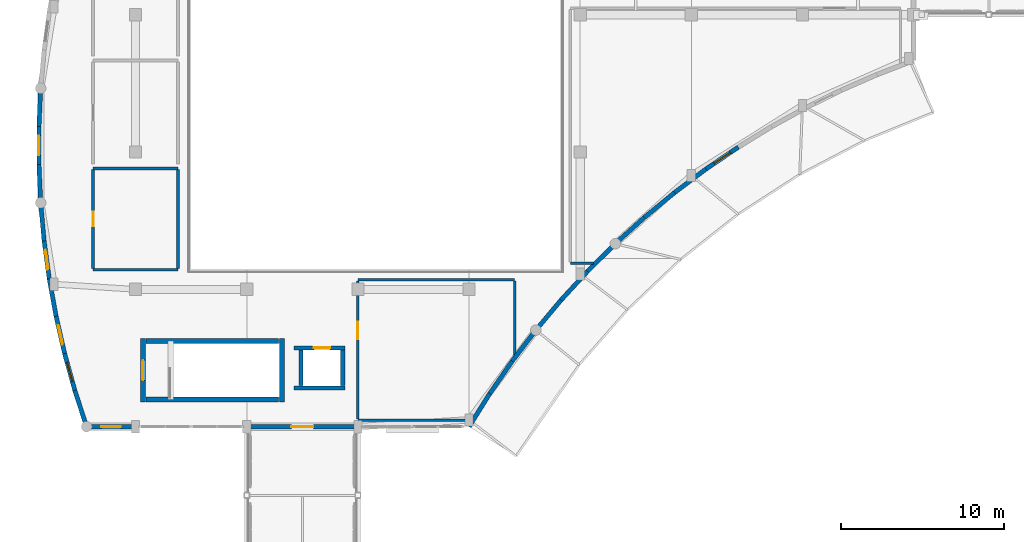
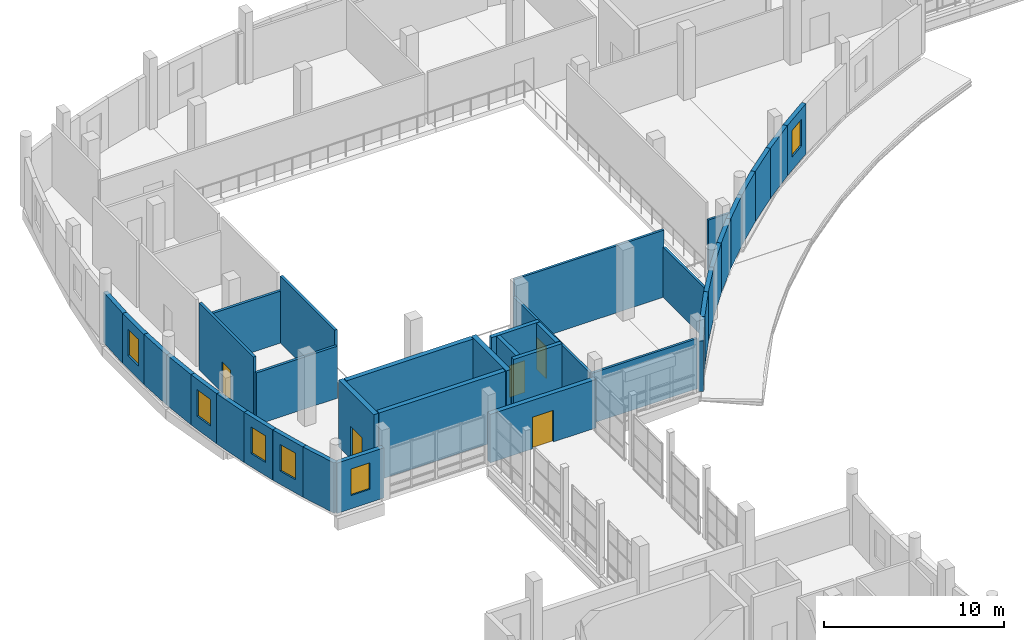
# One storey, part 85 of 106: 38 walls, 6 windows, 5 doors, 11 openings.
"""IFC4 building model written with IfcOpenShell, lengths in metres."""

from ifc_helpers import new_model, si_unit, direction, frame, frame_2d, origin, place, context, subcontext, project, spatial, rectangle, extrude, material, layer, layer_set, type_object, element, fill, save


model = new_model("IFC4")

# Units and contexts
model_context = context("Model", 3, precision=1e-05, world=origin(), true_north=direction((0.0, 1.0)))
body_context = subcontext(model_context, "Body", "Model", "MODEL_VIEW")
ifc_project = project(units=[si_unit("LENGTHUNIT", "METRE"), si_unit("AREAUNIT", "SQUARE_METRE"), si_unit("VOLUMEUNIT", "CUBIC_METRE"), si_unit("PLANEANGLEUNIT", "RADIAN"), si_unit("MASSUNIT", "GRAM", prefix="KILO")], contexts=[model_context])

# Site, building, storey
site_placement = place(None, origin())
site = spatial("IfcSite", under=ifc_project, at=site_placement, CompositionType="ELEMENT")
building_placement = place(site_placement, origin())
building = spatial("IfcBuilding", under=site, at=building_placement, Name="Kisaragi Civic Commons", CompositionType="ELEMENT")
storey_placement = place(building_placement, frame((0.0, 0.0, 4.800048828125)))
storey = spatial("IfcBuildingStorey", under=building, at=storey_placement, Name="L01", CompositionType="ELEMENT", Elevation=4.800048828125)

# Wall, opening, door
ifc_material_1 = material(Name="Insulated Tokoname terracotta cavity wall", Category="masonry")
ifc_layer_1 = layer(ifc_material_1, 0.2900390625, Name="Insulated Tokoname terracotta cavity wall", Category="masonry")
ifc_layer_set_1 = layer_set([ifc_layer_1], Name="Insulated Tokoname terracotta cavity wall")
wall_type_1 = type_object("IfcWallType", Name="EW-03", PredefinedType="STANDARD", material=ifc_layer_set_1)
wall_1_placement = place(storey_placement, frame((20.39990234375, 79.199951171875, 0.0), z_axis=(0.0, 0.0, 1.0), x_axis=(-1.0, 0.0, 0.0)))
wall_1 = element("IfcWall", 1, at=wall_1_placement, inside=storey, type_object=wall_type_1, Name="V2 L01 exterior terracotta wall EW-03 236", PredefinedType="STANDARD", context=body_context, shape_type="SweptSolid", body=[
    extrude(rectangle(XDim=6.7998046875, YDim=0.2900390625, at=frame_2d((3.39990234375, 0.0))), origin(), (0.0, 0.0, 1.0), 3.284912109375),
])
opening_1_placement = place(wall_1_placement, frame((2.72509765625, 0.0, 0.0)))
opening_1 = element("IfcOpeningElement", 2, at=opening_1_placement, cuts=wall_1, Name="Opening TD-03", PredefinedType="OPENING", context=body_context, shape_type="SweptSolid", body=[
    extrude(rectangle(XDim=1.35009765625, YDim=2.14990234375, at=frame_2d((0.675048828125, 1.074951171875))), frame((0.0, 0.155029296875, 0.0), z_axis=(0.0, -1.0, 0.0), x_axis=(1.0, 0.0, 0.0)), (0.0, 0.0, 1.0), 0.31005859375),
])
ifc_material_2 = material(Name="Thermally broken anodized aluminium glazed exit door", Category="aluminium")
door_type_1 = type_object("IfcDoorType", Name="TD-03", OperationType="NOTDEFINED", PredefinedType="DOOR", material=ifc_material_2)
door_1_placement = place(opening_1_placement, origin())
door_1 = element("IfcDoor", 3, at=door_1_placement, inside=storey, type_object=door_type_1, Name="V2 L01 terrace access door 02", OperationType="SINGLE_SWING_RIGHT", OverallHeight=2.14990234375, OverallWidth=1.35009765625, PredefinedType="DOOR", context=body_context, shape_type="SweptSolid", body=[
    extrude(rectangle(XDim=1.35009765625, YDim=2.14990234375, at=frame_2d((0.675048828125, 1.074951171875))), frame((0.0, 0.02490234375, 0.0), z_axis=(0.0, -1.0, 0.0), x_axis=(1.0, 0.0, 0.0)), (0.0, 0.0, 1.0), 0.050048828125),
])
fill(opening_1, door_1)

# Wall, opening, window
ifc_layer_2 = layer(ifc_material_1, 0.26806640625, Name="Insulated Tokoname terracotta cavity wall", Category="masonry")
ifc_layer_set_2 = layer_set([ifc_layer_2], Name="Insulated Tokoname terracotta cavity wall")
wall_type_2 = type_object("IfcWallType", Name="EW-04", PredefinedType="STANDARD", material=ifc_layer_set_2)
wall_2_placement = place(storey_placement, frame((3.07666015625, 81.42236328125, 0.0), z_axis=(0.0, 0.0, 1.0), x_axis=(-0.266377520109, 0.963868775706, 0.0)))
wall_2 = element("IfcWall", 4, at=wall_2_placement, inside=storey, type_object=wall_type_2, Name="V2 L01 exterior terracotta wall EW-04 184", PredefinedType="STANDARD", context=body_context, shape_type="SweptSolid", body=[
    extrude(rectangle(XDim=2.337158203125, YDim=0.26806640625, at=frame_2d((1.16845703125, 0.0))), origin(), (0.0, 0.0, 1.0), 3.405029296875),
])
opening_2_placement = place(wall_2_placement, frame((0.568603515625, 0.0, 0.89990234375)))
opening_2 = element("IfcOpeningElement", 5, at=opening_2_placement, cuts=wall_2, Name="Opening W-05", PredefinedType="OPENING", context=body_context, shape_type="SweptSolid", body=[
    extrude(rectangle(XDim=1.199951171875, YDim=1.800048828125, at=frame_2d((0.60009765625, 0.89990234375))), frame((0.0, 0.14404296875, 0.0), z_axis=(0.0, -1.0, 0.0), x_axis=(1.0, 0.0, 0.0)), (0.0, 0.0, 1.0), 0.2880859375),
])
ifc_material_3 = material(Name="Thermally broken aluminium frame and low-E argon double glazing", Category="aluminium")
window_type = type_object("IfcWindowType", Name="W-05", PartitioningType="SINGLE_PANEL", PredefinedType="WINDOW", material=ifc_material_3)
window_1_placement = place(opening_2_placement, origin())
window_1 = element("IfcWindow", 6, at=window_1_placement, inside=storey, type_object=window_type, Name="V2 L01 window W-05 56", OverallHeight=1.800048828125, OverallWidth=1.199951171875, PartitioningType="SINGLE_PANEL", PredefinedType="WINDOW", context=body_context, shape_type="SweptSolid", body=[
    extrude(rectangle(XDim=1.199951171875, YDim=1.800048828125, at=frame_2d((0.60009765625, 0.89990234375))), frame((0.0, 0.030029296875, 0.0), z_axis=(0.0, -1.0, 0.0), x_axis=(1.0, 0.0, 0.0)), (0.0, 0.0, 1.0), 0.06005859375),
])
fill(opening_2, window_1)

wall_3_placement = place(storey_placement, frame((2.4541015625, 83.675048828125, 0.0), z_axis=(0.0, 0.0, 1.0), x_axis=(-0.222898540551, 0.974841648998, 0.0)))
wall_3 = element("IfcWall", 7, at=wall_3_placement, inside=storey, type_object=wall_type_2, Name="V2 L01 exterior terracotta wall EW-04 185", PredefinedType="STANDARD", context=body_context, shape_type="SweptSolid", body=[
    extrude(rectangle(XDim=2.33740234375, YDim=0.26806640625, at=frame_2d((1.168701171875, 0.0))), origin(), (0.0, 0.0, 1.0), 3.405029296875),
])
opening_3_placement = place(wall_3_placement, frame((0.568603515625, 0.0, 0.89990234375)))
opening_3 = element("IfcOpeningElement", 8, at=opening_3_placement, cuts=wall_3, Name="Opening W-05", PredefinedType="OPENING", context=body_context, shape_type="SweptSolid", body=[
    extrude(rectangle(XDim=1.199951171875, YDim=1.800048828125, at=frame_2d((0.60009765625, 0.89990234375))), frame((0.0, 0.14404296875, 0.0), z_axis=(0.0, -1.0, 0.0), x_axis=(1.0, 0.0, 0.0)), (0.0, 0.0, 1.0), 0.2880859375),
])
window_2_placement = place(opening_3_placement, origin())
window_2 = element("IfcWindow", 9, at=window_2_placement, inside=storey, type_object=window_type, Name="V2 L01 window W-05 57", OverallHeight=1.800048828125, OverallWidth=1.199951171875, PartitioningType="SINGLE_PANEL", PredefinedType="WINDOW", context=body_context, shape_type="SweptSolid", body=[
    extrude(rectangle(XDim=1.199951171875, YDim=1.800048828125, at=frame_2d((0.60009765625, 0.89990234375))), frame((0.0, 0.030029296875, 0.0), z_axis=(0.0, -1.0, 0.0), x_axis=(1.0, 0.0, 0.0)), (0.0, 0.0, 1.0), 0.06005859375),
])
fill(opening_3, window_2)

# Wall
wall_4_placement = place(storey_placement, frame((1.93310546875, 85.95361328125, 0.0), z_axis=(0.0, 0.0, 1.0), x_axis=(-0.178848665452, 0.983876595344, 0.0)))
element("IfcWall", 10, at=wall_4_placement, inside=storey, type_object=wall_type_2, Name="V2 L01 exterior terracotta wall EW-04 186", PredefinedType="STANDARD", context=body_context, shape_type="SweptSolid", body=[
    extrude(rectangle(XDim=2.3369140625, YDim=0.26806640625, at=frame_2d((1.16845703125, 0.0))), origin(), (0.0, 0.0, 1.0), 3.405029296875),
])

# Wall, opening, window
wall_5_placement = place(storey_placement, frame((1.51513671875, 88.2529296875, 0.0), z_axis=(0.0, 0.0, 1.0), x_axis=(-0.134441908153, 0.990921476875, 0.0)))
wall_5 = element("IfcWall", 11, at=wall_5_placement, inside=storey, type_object=wall_type_2, Name="V2 L01 exterior terracotta wall EW-04 187", PredefinedType="STANDARD", context=body_context, shape_type="SweptSolid", body=[
    extrude(rectangle(XDim=2.337158203125, YDim=0.26806640625, at=frame_2d((1.16845703125, 0.0))), origin(), (0.0, 0.0, 1.0), 3.405029296875),
])
opening_4_placement = place(wall_5_placement, frame((0.568603515625, 0.0, 0.89990234375)))
opening_4 = element("IfcOpeningElement", 12, at=opening_4_placement, cuts=wall_5, Name="Opening W-05", PredefinedType="OPENING", context=body_context, shape_type="SweptSolid", body=[
    extrude(rectangle(XDim=1.199951171875, YDim=1.800048828125, at=frame_2d((0.60009765625, 0.89990234375))), frame((0.0, 0.14404296875, 0.0), z_axis=(0.0, -1.0, 0.0), x_axis=(1.0, 0.0, 0.0)), (0.0, 0.0, 1.0), 0.2880859375),
])
window_3_placement = place(opening_4_placement, origin())
window_3 = element("IfcWindow", 13, at=window_3_placement, inside=storey, type_object=window_type, Name="V2 L01 window W-05 58", OverallHeight=1.800048828125, OverallWidth=1.199951171875, PartitioningType="SINGLE_PANEL", PredefinedType="WINDOW", context=body_context, shape_type="SweptSolid", body=[
    extrude(rectangle(XDim=1.199951171875, YDim=1.800048828125, at=frame_2d((0.60009765625, 0.89990234375))), frame((0.0, 0.030029296875, 0.0), z_axis=(0.0, -1.0, 0.0), x_axis=(1.0, 0.0, 0.0)), (0.0, 0.0, 1.0), 0.06005859375),
])
fill(opening_4, window_3)

# Walls
wall_6_placement = place(storey_placement, frame((1.200927734375, 90.56884765625, 0.0), z_axis=(0.0, 0.0, 1.0), x_axis=(-0.089735106805, 0.995965667383, 0.0)))
element("IfcWall", 14, at=wall_6_placement, inside=storey, type_object=wall_type_2, Name="V2 L01 exterior terracotta wall EW-04 188", PredefinedType="STANDARD", context=body_context, shape_type="SweptSolid", body=[
    extrude(rectangle(XDim=2.337158203125, YDim=0.26806640625, at=frame_2d((1.16845703125, 0.0))), origin(), (0.0, 0.0, 1.0), 3.405029296875),
])
wall_7_placement = place(storey_placement, frame((0.9912109375, 92.896484375, 0.0), z_axis=(0.0, 0.0, 1.0), x_axis=(-0.045019136319, 0.998986124711, 0.0)))
element("IfcWall", 15, at=wall_7_placement, inside=storey, type_object=wall_type_2, Name="V2 L01 exterior terracotta wall EW-04 189", PredefinedType="STANDARD", context=body_context, shape_type="SweptSolid", body=[
    extrude(rectangle(XDim=2.33740234375, YDim=0.26806640625, at=frame_2d((1.168701171875, 0.0))), origin(), (0.0, 0.0, 1.0), 3.405029296875),
])

# Wall, opening, window
wall_8_placement = place(storey_placement, frame((0.885986328125, 95.2314453125, 0.0), z_axis=(0.0, 0.0, 1.0), x_axis=(0.0, 1.0, 0.0)))
wall_8 = element("IfcWall", 16, at=wall_8_placement, inside=storey, type_object=wall_type_2, Name="V2 L01 exterior terracotta wall EW-04 190", PredefinedType="STANDARD", context=body_context, shape_type="SweptSolid", body=[
    extrude(rectangle(XDim=2.337158203125, YDim=0.26806640625, at=frame_2d((1.16845703125, 0.0))), origin(), (0.0, 0.0, 1.0), 3.405029296875),
])
opening_5_placement = place(wall_8_placement, frame((0.568603515625, 0.0, 0.89990234375)))
opening_5 = element("IfcOpeningElement", 17, at=opening_5_placement, cuts=wall_8, Name="Opening W-05", PredefinedType="OPENING", context=body_context, shape_type="SweptSolid", body=[
    extrude(rectangle(XDim=1.199951171875, YDim=1.800048828125, at=frame_2d((0.60009765625, 0.89990234375))), frame((0.0, 0.14404296875, 0.0), z_axis=(0.0, -1.0, 0.0), x_axis=(1.0, 0.0, 0.0)), (0.0, 0.0, 1.0), 0.2880859375),
])
window_4_placement = place(opening_5_placement, origin())
window_4 = element("IfcWindow", 18, at=window_4_placement, inside=storey, type_object=window_type, Name="V2 L01 window W-05 59", OverallHeight=1.800048828125, OverallWidth=1.199951171875, PartitioningType="SINGLE_PANEL", PredefinedType="WINDOW", context=body_context, shape_type="SweptSolid", body=[
    extrude(rectangle(XDim=1.199951171875, YDim=1.800048828125, at=frame_2d((0.60009765625, 0.89990234375))), frame((0.0, 0.030029296875, 0.0), z_axis=(0.0, -1.0, 0.0), x_axis=(1.0, 0.0, 0.0)), (0.0, 0.0, 1.0), 0.06005859375),
])
fill(opening_5, window_4)

# Wall
wall_9_placement = place(storey_placement, frame((0.885986328125, 97.568603515625, 0.0), z_axis=(0.0, 0.0, 1.0), x_axis=(0.045023834413, 0.998985912981, 0.0)))
element("IfcWall", 19, at=wall_9_placement, inside=storey, type_object=wall_type_2, Name="V2 L01 exterior terracotta wall EW-04 191", PredefinedType="STANDARD", context=body_context, shape_type="SweptSolid", body=[
    extrude(rectangle(XDim=2.337158203125, YDim=0.26806640625, at=frame_2d((1.16845703125, 0.0))), origin(), (0.0, 0.0, 1.0), 3.405029296875),
])

# Wall, opening, window
wall_10_placement = place(storey_placement, frame((43.6787109375, 96.308349609375, 0.0), z_axis=(0.0, 0.0, 1.0), x_axis=(-0.827159505426, -0.561967216644, 0.0)))
wall_10 = element("IfcWall", 20, at=wall_10_placement, inside=storey, type_object=wall_type_2, Name="V2 L01 exterior terracotta wall EW-04 226", PredefinedType="STANDARD", context=body_context, shape_type="SweptSolid", body=[
    extrude(rectangle(XDim=2.396484375, YDim=0.26806640625, at=frame_2d((1.1982421875, 0.0))), origin(), (0.0, 0.0, 1.0), 3.405029296875),
])
opening_6_placement = place(wall_10_placement, frame((0.59814453125, 0.0, 0.89990234375)))
opening_6 = element("IfcOpeningElement", 21, at=opening_6_placement, cuts=wall_10, Name="Opening W-05", PredefinedType="OPENING", context=body_context, shape_type="SweptSolid", body=[
    extrude(rectangle(XDim=1.199951171875, YDim=1.800048828125, at=frame_2d((0.60009765625, 0.89990234375))), frame((0.0, 0.14404296875, 0.0), z_axis=(0.0, -1.0, 0.0), x_axis=(1.0, 0.0, 0.0)), (0.0, 0.0, 1.0), 0.2880859375),
])
window_5_placement = place(opening_6_placement, origin())
window_5 = element("IfcWindow", 22, at=window_5_placement, inside=storey, type_object=window_type, Name="V2 L01 window W-05 69", OverallHeight=1.800048828125, OverallWidth=1.199951171875, PartitioningType="SINGLE_PANEL", PredefinedType="WINDOW", context=body_context, shape_type="SweptSolid", body=[
    extrude(rectangle(XDim=1.199951171875, YDim=1.800048828125, at=frame_2d((0.60009765625, 0.89990234375))), frame((0.0, 0.030029296875, 0.0), z_axis=(0.0, -1.0, 0.0), x_axis=(1.0, 0.0, 0.0)), (0.0, 0.0, 1.0), 0.06005859375),
])
fill(opening_6, window_5)

# Walls
wall_11_placement = place(storey_placement, frame((41.696533203125, 94.961669921875, 0.0), z_axis=(0.0, 0.0, 1.0), x_axis=(-0.800391059778, -0.599478232655, 0.0)))
element("IfcWall", 23, at=wall_11_placement, inside=storey, type_object=wall_type_2, Name="V2 L01 exterior terracotta wall EW-04 227", PredefinedType="STANDARD", context=body_context, shape_type="SweptSolid", body=[
    extrude(rectangle(XDim=2.396240234375, YDim=0.26806640625, at=frame_2d((1.1982421875, 0.0))), origin(), (0.0, 0.0, 1.0), 3.405029296875),
])
wall_12_placement = place(storey_placement, frame((39.778564453125, 93.525146484375, 0.0), z_axis=(0.0, 0.0, 1.0), x_axis=(-0.771924354008, -0.635714394748, 0.0)))
element("IfcWall", 24, at=wall_12_placement, inside=storey, type_object=wall_type_2, Name="V2 L01 exterior terracotta wall EW-04 228", PredefinedType="STANDARD", context=body_context, shape_type="SweptSolid", body=[
    extrude(rectangle(XDim=2.396484375, YDim=0.26806640625, at=frame_2d((1.1982421875, 0.0))), origin(), (0.0, 0.0, 1.0), 3.405029296875),
])
for number, where, z_axis, x_axis, name in (
    (25, (37.9287109375, 92.001708984375, 0.0), (0.0, 0.0, 1.0), (-0.741818117858, -0.670601133325, 0.0), "V2 L01 exterior terracotta wall EW-04 229"),
    (26, (36.151123046875, 90.394775390625, 0.0), (0.0, 0.0, 1.0), (-0.710156803668, -0.704043545673, 0.0), "V2 L01 exterior terracotta wall EW-04 230"),
):
    element("IfcWall", number, at=place(storey_placement, frame(where, z_axis=z_axis, x_axis=x_axis)), inside=storey, type_object=wall_type_2, Name=name, PredefinedType="STANDARD", context=body_context, shape_type="SweptSolid", body=[
        extrude(rectangle(XDim=2.396240234375, YDim=0.26806640625, at=frame_2d((1.1982421875, 0.0))), origin(), (0.0, 0.0, 1.0), 3.405029296875),
    ])
wall_13_placement = place(storey_placement, frame((34.449462890625, 88.707763671875, 0.0), z_axis=(0.0, 0.0, 1.0), x_axis=(-0.676946175491, -0.73603252339, 0.0)))
element("IfcWall", 27, at=wall_13_placement, inside=storey, type_object=wall_type_2, Name="V2 L01 exterior terracotta wall EW-04 231", PredefinedType="STANDARD", context=body_context, shape_type="SweptSolid", body=[
    extrude(rectangle(XDim=2.396484375, YDim=0.26806640625, at=frame_2d((1.1982421875, 0.0))), origin(), (0.0, 0.0, 1.0), 3.405029296875),
])
wall_14_placement = place(storey_placement, frame((32.8271484375, 86.94384765625, 0.0), z_axis=(0.0, 0.0, 1.0), x_axis=(-0.642326646104, -0.766431001268, 0.0)))
element("IfcWall", 28, at=wall_14_placement, inside=storey, type_object=wall_type_2, Name="V2 L01 exterior terracotta wall EW-04 232", PredefinedType="STANDARD", context=body_context, shape_type="SweptSolid", body=[
    extrude(rectangle(XDim=2.39599609375, YDim=0.26806640625, at=frame_2d((1.197998046875, 0.0))), origin(), (0.0, 0.0, 1.0), 3.405029296875),
])
wall_15_placement = place(storey_placement, frame((31.2880859375, 85.107421875, 0.0), z_axis=(0.0, 0.0, 1.0), x_axis=(-0.606337825748, -0.795207168647, 0.0)))
element("IfcWall", 29, at=wall_15_placement, inside=storey, type_object=wall_type_2, Name="V2 L01 exterior terracotta wall EW-04 233", PredefinedType="STANDARD", context=body_context, shape_type="SweptSolid", body=[
    extrude(rectangle(XDim=2.396484375, YDim=0.26806640625, at=frame_2d((1.1982421875, 0.0))), origin(), (0.0, 0.0, 1.0), 3.405029296875),
])
wall_16_placement = place(storey_placement, frame((29.8349609375, 83.20166015625, 0.0), z_axis=(0.0, 0.0, 1.0), x_axis=(-0.569029831822, -0.822316879613, 0.0)))
element("IfcWall", 30, at=wall_16_placement, inside=storey, type_object=wall_type_2, Name="V2 L01 exterior terracotta wall EW-04 234", PredefinedType="STANDARD", context=body_context, shape_type="SweptSolid", body=[
    extrude(rectangle(XDim=2.396240234375, YDim=0.26806640625, at=frame_2d((1.1982421875, 0.0))), origin(), (0.0, 0.0, 1.0), 3.405029296875),
])
wall_17_placement = place(storey_placement, frame((28.471435546875, 81.231201171875, 0.0), z_axis=(0.0, 0.0, 1.0), x_axis=(-0.530584902819, -0.847631795593, 0.0)))
element("IfcWall", 31, at=wall_17_placement, inside=storey, type_object=wall_type_2, Name="V2 L01 exterior terracotta wall EW-04 235", PredefinedType="STANDARD", context=body_context, shape_type="SweptSolid", body=[
    extrude(rectangle(XDim=2.396484375, YDim=0.26806640625, at=frame_2d((1.1982421875, 0.0))), origin(), (0.0, 0.0, 1.0), 3.405029296875),
])

# Wall, opening, window
wall_18_placement = place(storey_placement, frame((6.800048828125, 79.199951171875, 0.0), z_axis=(0.0, 0.0, 1.0), x_axis=(-1.0, 0.0, 0.0)))
wall_18 = element("IfcWall", 32, at=wall_18_placement, inside=storey, type_object=wall_type_2, Name="V2 L01 exterior terracotta wall EW-04 237", PredefinedType="STANDARD", context=body_context, shape_type="SweptSolid", body=[
    extrude(rectangle(XDim=3.0, YDim=0.26806640625, at=frame_2d((1.5, 0.0))), origin(), (0.0, 0.0, 1.0), 3.405029296875),
])
opening_7_placement = place(wall_18_placement, frame((0.89990234375, 0.0, 0.89990234375)))
opening_7 = element("IfcOpeningElement", 33, at=opening_7_placement, cuts=wall_18, Name="Opening W-05", PredefinedType="OPENING", context=body_context, shape_type="SweptSolid", body=[
    extrude(rectangle(XDim=1.199951171875, YDim=1.800048828125, at=frame_2d((0.60009765625, 0.89990234375))), frame((0.0, 0.14404296875, 0.0), z_axis=(0.0, -1.0, 0.0), x_axis=(1.0, 0.0, 0.0)), (0.0, 0.0, 1.0), 0.2880859375),
])
window_6_placement = place(opening_7_placement, origin())
window_6 = element("IfcWindow", 34, at=window_6_placement, inside=storey, type_object=window_type, Name="V2 L01 window W-05 70", OverallHeight=1.800048828125, OverallWidth=1.199951171875, PartitioningType="SINGLE_PANEL", PredefinedType="WINDOW", context=body_context, shape_type="SweptSolid", body=[
    extrude(rectangle(XDim=1.199951171875, YDim=1.800048828125, at=frame_2d((0.60009765625, 0.89990234375))), frame((0.0, 0.030029296875, 0.0), z_axis=(0.0, -1.0, 0.0), x_axis=(1.0, 0.0, 0.0)), (0.0, 0.0, 1.0), 0.06005859375),
])
fill(opening_7, window_6)

# Walls
wall_19_placement = place(storey_placement, frame((3.800048828125, 79.199951171875, 0.0), z_axis=(0.0, 0.0, 1.0), x_axis=(-0.309513563402, 0.950895027892, 0.0)))
element("IfcWall", 35, at=wall_19_placement, inside=storey, type_object=wall_type_2, Name="V2 L01 exterior terracotta wall EW-04 238", PredefinedType="STANDARD", context=body_context, shape_type="SweptSolid", body=[
    extrude(rectangle(XDim=2.337158203125, YDim=0.26806640625, at=frame_2d((1.16845703125, 0.0))), origin(), (0.0, 0.0, 1.0), 3.405029296875),
])
ifc_material_4 = material(Name="Acoustic gypsum board on light-gauge steel studs", Category="steel")
ifc_layer_3 = layer(ifc_material_4, 0.14990234375, Name="Acoustic gypsum board on light-gauge steel studs", Category="steel")
ifc_layer_set_3 = layer_set([ifc_layer_3], Name="Acoustic gypsum board on light-gauge steel studs")
wall_type_3 = type_object("IfcWallType", Name="IW-01", PredefinedType="STANDARD", material=ifc_layer_set_3)
wall_20_placement = place(storey_placement, frame((20.405029296875, 88.199951171875, 0.0), z_axis=(0.0, 0.0, 1.0), x_axis=(1.0, 0.0, 0.0)))
element("IfcWall", 36, at=wall_20_placement, inside=storey, type_object=wall_type_3, Name="L01 S1-09 partition IW-01 189", PredefinedType="STANDARD", context=body_context, shape_type="SweptSolid", body=[
    extrude(rectangle(XDim=9.590087890625, YDim=0.14990234375, at=frame_2d((4.794921875, 0.0))), origin(), (0.0, 0.0, 1.0), 4.5400390625),
])
wall_21_placement = place(storey_placement, frame((30.0, 88.125, 0.0), z_axis=(0.0, 0.0, 1.0), x_axis=(0.0, -1.0, 0.0)))
element("IfcWall", 37, at=wall_21_placement, inside=storey, type_object=wall_type_3, Name="L01 S1-09 partition IW-01 190", PredefinedType="STANDARD", context=body_context, shape_type="SweptSolid", body=[
    extrude(rectangle(XDim=4.56494140625, YDim=0.14990234375, at=frame_2d((2.282470703125, 0.0))), origin(), (0.0, 0.0, 1.0), 3.405029296875),
])
wall_22_placement = place(storey_placement, frame((27.162109375, 79.60009765625, 0.0), z_axis=(0.0, 0.0, 1.0), x_axis=(-1.0, 0.0, 0.0)))
element("IfcWall", 38, at=wall_22_placement, inside=storey, type_object=wall_type_3, Name="L01 S1-09 partition IW-01 191", PredefinedType="STANDARD", context=body_context, shape_type="SweptSolid", body=[
    extrude(rectangle(XDim=6.757080078125, YDim=0.14990234375, at=frame_2d((3.37841796875, 0.0))), origin(), (0.0, 0.0, 1.0), 3.405029296875),
])

# Wall, opening, door
wall_23_placement = place(storey_placement, frame((20.39990234375, 79.675048828125, 0.0), z_axis=(0.0, 0.0, 1.0), x_axis=(0.0, 1.0, 0.0)))
wall_23 = element("IfcWall", 39, at=wall_23_placement, inside=storey, type_object=wall_type_3, Name="L01 S1-09 partition IW-01 192", PredefinedType="STANDARD", context=body_context, shape_type="SweptSolid", body=[
    extrude(rectangle(XDim=8.449951171875, YDim=0.14990234375, at=frame_2d((4.22509765625, 0.0))), origin(), (0.0, 0.0, 1.0), 3.405029296875),
])
opening_8_placement = place(wall_23_placement, frame((4.884033203125, 0.0, 0.0)))
opening_8 = element("IfcOpeningElement", 40, at=opening_8_placement, cuts=wall_23, Name="Opening ID-03", PredefinedType="OPENING", context=body_context, shape_type="SweptSolid", body=[
    extrude(rectangle(XDim=1.050048828125, YDim=2.14990234375, at=frame_2d((0.52490234375, 1.074951171875))), frame((0.0, 0.0849609375, 0.0), z_axis=(0.0, -1.0, 0.0), x_axis=(1.0, 0.0, 0.0)), (0.0, 0.0, 1.0), 0.169921875),
])
ifc_material_5 = material(Name="Solid-core Japanese ash acoustic flush timber leaf in steel frame", Category="steel")
door_type_2 = type_object("IfcDoorType", Name="ID-03", OperationType="NOTDEFINED", PredefinedType="DOOR", material=ifc_material_5)
door_2_placement = place(opening_8_placement, origin())
door_2 = element("IfcDoor", 41, at=door_2_placement, inside=storey, type_object=door_type_2, Name="Sports Science Classroom door ID-03", OperationType="SINGLE_SWING_RIGHT", OverallHeight=2.14990234375, OverallWidth=1.050048828125, PredefinedType="DOOR", context=body_context, shape_type="SweptSolid", body=[
    extrude(rectangle(XDim=1.050048828125, YDim=2.14990234375, at=frame_2d((0.52490234375, 1.074951171875))), frame((0.0, 0.02490234375, 0.0), z_axis=(0.0, -1.0, 0.0), x_axis=(1.0, 0.0, 0.0)), (0.0, 0.0, 1.0), 0.050048828125),
])
fill(opening_8, door_2)

# Walls
ifc_layer_4 = layer(ifc_material_4, 0.137939453125, Name="Acoustic gypsum board on light-gauge steel studs", Category="steel")
ifc_layer_set_4 = layer_set([ifc_layer_4], Name="Acoustic gypsum board on light-gauge steel studs")
wall_type_4 = type_object("IfcWallType", Name="IW-02", PredefinedType="STANDARD", material=ifc_layer_set_4)
wall_24_placement = place(storey_placement, frame((34.803955078125, 89.199951171875, 0.0), z_axis=(0.0, 0.0, 1.0), x_axis=(-1.0, 0.0, 0.0)))
element("IfcWall", 42, at=wall_24_placement, inside=storey, type_object=wall_type_4, Name="L01 S1-08 partition IW-02 202", PredefinedType="STANDARD", context=body_context, shape_type="SweptSolid", body=[
    extrude(rectangle(XDim=1.39892578125, YDim=0.137939453125, at=frame_2d((0.699462890625, 0.0))), origin(), (0.0, 0.0, 1.0), 3.405029296875),
])
ifc_material_6 = material(Name="Cementitious tile-backer board on galvanized steel studs", Category="steel")
ifc_layer_5 = layer(ifc_material_6, 0.16796875, Name="Cementitious tile-backer board on galvanized steel studs", Category="steel")
ifc_layer_set_5 = layer_set([ifc_layer_5], Name="Cementitious tile-backer board on galvanized steel studs")
wall_type_5 = type_object("IfcWallType", Name="IW-03", PredefinedType="STANDARD", material=ifc_layer_set_5)
wall_25_placement = place(storey_placement, frame((9.39990234375, 94.925048828125, 0.0), z_axis=(0.0, 0.0, 1.0), x_axis=(0.0, -1.0, 0.0)))
element("IfcWall", 43, at=wall_25_placement, inside=storey, type_object=wall_type_5, Name="L01 S1-05 partition IW-03 233", PredefinedType="STANDARD", context=body_context, shape_type="SweptSolid", body=[
    extrude(rectangle(XDim=6.050048828125, YDim=0.16796875, at=frame_2d((3.02490234375, 0.0))), origin(), (0.0, 0.0, 1.0), 4.5400390625),
])
wall_26_placement = place(storey_placement, frame((9.39501953125, 88.800048828125, 0.0), z_axis=(0.0, 0.0, 1.0), x_axis=(-1.0, 0.0, 0.0)))
element("IfcWall", 44, at=wall_26_placement, inside=storey, type_object=wall_type_5, Name="L01 S1-05 partition IW-03 234", PredefinedType="STANDARD", context=body_context, shape_type="SweptSolid", body=[
    extrude(rectangle(XDim=5.18994140625, YDim=0.16796875, at=frame_2d((2.594970703125, 0.0))), origin(), (0.0, 0.0, 1.0), 3.52490234375),
])

# Wall, opening, door
wall_27_placement = place(storey_placement, frame((4.199951171875, 88.875, 0.0), z_axis=(0.0, 0.0, 1.0), x_axis=(0.0, 1.0, 0.0)))
wall_27 = element("IfcWall", 45, at=wall_27_placement, inside=storey, type_object=wall_type_5, Name="L01 S1-05 partition IW-03 235", PredefinedType="STANDARD", context=body_context, shape_type="SweptSolid", body=[
    extrude(rectangle(XDim=6.050048828125, YDim=0.16796875, at=frame_2d((3.02490234375, 0.0))), origin(), (0.0, 0.0, 1.0), 4.5400390625),
])
opening_9_placement = place(wall_27_placement, frame((2.574951171875, 0.0, 0.0)))
opening_9 = element("IfcOpeningElement", 46, at=opening_9_placement, cuts=wall_27, Name="Opening ID-02", PredefinedType="OPENING", context=body_context, shape_type="SweptSolid", body=[
    extrude(rectangle(XDim=0.89990234375, YDim=2.10009765625, at=frame_2d((0.449951171875, 1.050048828125))), frame((0.0, 0.093994140625, 0.0), z_axis=(0.0, -1.0, 0.0), x_axis=(1.0, 0.0, 0.0)), (0.0, 0.0, 1.0), 0.18798828125),
])
door_type_3 = type_object("IfcDoorType", Name="ID-02", OperationType="NOTDEFINED", PredefinedType="DOOR", material=ifc_material_5)
door_3_placement = place(opening_9_placement, origin())
door_3 = element("IfcDoor", 47, at=door_3_placement, inside=storey, type_object=door_type_3, Name="Sports Upper Male WC door ID-02", OperationType="SINGLE_SWING_RIGHT", OverallHeight=2.10009765625, OverallWidth=0.89990234375, PredefinedType="DOOR", context=body_context, shape_type="SweptSolid", body=[
    extrude(rectangle(XDim=0.89990234375, YDim=2.10009765625, at=frame_2d((0.449951171875, 1.050048828125))), frame((0.0, 0.02490234375, 0.0), z_axis=(0.0, -1.0, 0.0), x_axis=(1.0, 0.0, 0.0)), (0.0, 0.0, 1.0), 0.050048828125),
])
fill(opening_9, door_3)

# Wall
wall_28_placement = place(storey_placement, frame((4.205078125, 95.0, 0.0), z_axis=(0.0, 0.0, 1.0), x_axis=(1.0, 0.0, 0.0)))
element("IfcWall", 48, at=wall_28_placement, inside=storey, type_object=wall_type_5, Name="L01 S1-05 partition IW-03 236", PredefinedType="STANDARD", context=body_context, shape_type="SweptSolid", body=[
    extrude(rectangle(XDim=5.18994140625, YDim=0.16796875, at=frame_2d((2.594970703125, 0.0))), origin(), (0.0, 0.0, 1.0), 3.52490234375),
])

# Wall, opening, door
ifc_material_7 = material(Name="Concrete Fc36", Category="concrete")
ifc_layer_6 = layer(ifc_material_7, 0.300048828125, Name="Concrete Fc36", Category="concrete")
ifc_layer_set_6 = layer_set([ifc_layer_6], Name="Concrete Fc36")
wall_type_6 = type_object("IfcWallType", Name="SW-01", PredefinedType="SHEAR", material=ifc_layer_set_6)
wall_29_placement = place(storey_placement, frame((7.25, 84.60009765625, 0.0), z_axis=(0.0, 0.0, 1.0), x_axis=(0.0, -1.0, 0.0)))
wall_29 = element("IfcWall", 49, at=wall_29_placement, inside=storey, type_object=wall_type_6, Name="ST-S1 L01 entry RC shear wall", PredefinedType="SHEAR", context=body_context, shape_type="SweptSolid", body=[
    extrude(rectangle(XDim=3.900146484375, YDim=0.300048828125, at=frame_2d((1.9501953125, 0.0))), origin(), (0.0, 0.0, 1.0), 4.5400390625),
])
opening_10_placement = place(wall_29_placement, frame((1.324951171875, 0.0, 0.0)))
opening_10 = element("IfcOpeningElement", 50, at=opening_10_placement, cuts=wall_29, Name="Opening SD-01", PredefinedType="OPENING", context=body_context, shape_type="SweptSolid", body=[
    extrude(rectangle(XDim=1.25, YDim=2.199951171875, at=frame_2d((0.625, 1.10009765625))), frame((0.0, 0.159912109375, 0.0), z_axis=(0.0, -1.0, 0.0), x_axis=(1.0, 0.0, 0.0)), (0.0, 0.0, 1.0), 0.320068359375),
])
ifc_material_8 = material(Name="Insulated fire-rated pressed steel door assembly", Category="steel")
door_type_4 = type_object("IfcDoorType", Name="SD-01", OperationType="NOTDEFINED", PredefinedType="DOOR", material=ifc_material_8)
door_4_placement = place(opening_10_placement, origin())
door_4 = element("IfcDoor", 51, at=door_4_placement, inside=storey, type_object=door_type_4, Name="ST-S1 L01 stair fire door 30", OperationType="SINGLE_SWING_RIGHT", OverallHeight=2.199951171875, OverallWidth=1.25, PredefinedType="DOOR", context=body_context, shape_type="SweptSolid", body=[
    extrude(rectangle(XDim=1.25, YDim=2.199951171875, at=frame_2d((0.625, 1.10009765625))), frame((0.0, 0.02490234375, 0.0), z_axis=(0.0, -1.0, 0.0), x_axis=(1.0, 0.0, 0.0)), (0.0, 0.0, 1.0), 0.050048828125),
])
fill(opening_10, door_4)

# Walls
wall_30_placement = place(storey_placement, frame((7.449951171875, 80.85009765625, 0.0), z_axis=(0.0, 0.0, 1.0), x_axis=(1.0, 0.0, 0.0)))
element("IfcWall", 52, at=wall_30_placement, inside=storey, type_object=wall_type_6, Name="ST-S1 L01 right RC shear wall", PredefinedType="SHEAR", context=body_context, shape_type="SweptSolid", body=[
    extrude(rectangle(XDim=8.10009765625, YDim=0.300048828125, at=frame_2d((4.050048828125, 0.0))), origin(), (0.0, 0.0, 1.0), 4.5400390625),
])
wall_31_placement = place(storey_placement, frame((15.75, 80.699951171875, 0.0), z_axis=(0.0, 0.0, 1.0), x_axis=(0.0, 1.0, 0.0)))
element("IfcWall", 53, at=wall_31_placement, inside=storey, type_object=wall_type_6, Name="ST-S1 L01 far RC shear wall", PredefinedType="SHEAR", context=body_context, shape_type="SweptSolid", body=[
    extrude(rectangle(XDim=3.900146484375, YDim=0.300048828125, at=frame_2d((1.9501953125, 0.0))), origin(), (0.0, 0.0, 1.0), 4.5400390625),
])
wall_32_placement = place(storey_placement, frame((15.550048828125, 84.449951171875, 0.0), z_axis=(0.0, 0.0, 1.0), x_axis=(-1.0, 0.0, 0.0)))
element("IfcWall", 54, at=wall_32_placement, inside=storey, type_object=wall_type_6, Name="ST-S1 L01 left RC shear wall", PredefinedType="SHEAR", context=body_context, shape_type="SweptSolid", body=[
    extrude(rectangle(XDim=8.10009765625, YDim=0.300048828125, at=frame_2d((4.050048828125, 0.0))), origin(), (0.0, 0.0, 1.0), 4.5400390625),
])
ifc_layer_7 = layer(ifc_material_7, 0.25, Name="Concrete Fc36", Category="concrete")
ifc_layer_set_7 = layer_set([ifc_layer_7], Name="Concrete Fc36")
wall_type_7 = type_object("IfcWallType", Name="SW-02", PredefinedType="SHEAR", material=ifc_layer_set_7)
wall_33_placement = place(storey_placement, frame((19.60009765625, 81.574951171875, 0.0), z_axis=(0.0, 0.0, 1.0), x_axis=(-1.0, 0.0, 0.0)))
element("IfcWall", 55, at=wall_33_placement, inside=storey, type_object=wall_type_7, Name="EL-S1 L01 south lift shaft wall", PredefinedType="SHEAR", context=body_context, shape_type="SweptSolid", body=[
    extrude(rectangle(XDim=3.10009765625, YDim=0.25, at=frame_2d((1.550048828125, 0.0))), origin(), (0.0, 0.0, 1.0), 4.5400390625),
])
wall_34_placement = place(storey_placement, frame((16.925048828125, 81.719970703125, 0.0), z_axis=(0.0, 0.0, 1.0), x_axis=(0.0, 1.0, 0.0)))
element("IfcWall", 56, at=wall_34_placement, inside=storey, type_object=wall_type_7, Name="EL-S1 L01 west lift shaft wall", PredefinedType="SHEAR", context=body_context, shape_type="SweptSolid", body=[
    extrude(rectangle(XDim=2.159912109375, YDim=0.25, at=frame_2d((1.080078125, 0.0))), origin(), (0.0, 0.0, 1.0), 4.5400390625),
])

# Wall, opening, door
wall_35_placement = place(storey_placement, frame((16.5, 84.02490234375, 0.0), z_axis=(0.0, 0.0, 1.0), x_axis=(1.0, 0.0, 0.0)))
wall_35 = element("IfcWall", 57, at=wall_35_placement, inside=storey, type_object=wall_type_7, Name="EL-S1 L01 north lift shaft wall", PredefinedType="SHEAR", context=body_context, shape_type="SweptSolid", body=[
    extrude(rectangle(XDim=3.10009765625, YDim=0.25, at=frame_2d((1.550048828125, 0.0))), origin(), (0.0, 0.0, 1.0), 4.5400390625),
])
opening_11_placement = place(wall_35_placement, frame((1.199951171875, 0.0, 0.0)))
opening_11 = element("IfcOpeningElement", 58, at=opening_11_placement, cuts=wall_35, Name="Opening LD-02", PredefinedType="OPENING", context=body_context, shape_type="SweptSolid", body=[
    extrude(rectangle(XDim=1.0, YDim=2.14990234375, at=frame_2d((0.5, 1.074951171875))), frame((0.0, 0.135009765625, 0.0), z_axis=(0.0, -1.0, 0.0), x_axis=(1.0, 0.0, 0.0)), (0.0, 0.0, 1.0), 0.27001953125),
])
ifc_material_9 = material(Name="Brushed stainless steel bi-parting landing door", Category="steel")
door_type_5 = type_object("IfcDoorType", Name="LD-02", OperationType="NOTDEFINED", PredefinedType="DOOR", material=ifc_material_9)
door_5_placement = place(opening_11_placement, origin())
door_5 = element("IfcDoor", 59, at=door_5_placement, inside=storey, type_object=door_type_5, Name="EL-S1 L01 sliding lift landing door", OperationType="DOUBLE_DOOR_SLIDING", OverallHeight=2.14990234375, OverallWidth=1.0, PredefinedType="DOOR", context=body_context, shape_type="SweptSolid", body=[
    extrude(rectangle(XDim=1.0, YDim=2.14990234375, at=frame_2d((0.5, 1.074951171875))), frame((0.0, 0.02490234375, 0.0), z_axis=(0.0, -1.0, 0.0), x_axis=(1.0, 0.0, 0.0)), (0.0, 0.0, 1.0), 0.050048828125),
])
fill(opening_11, door_5)

# Wall
wall_36_placement = place(storey_placement, frame((19.47509765625, 83.8798828125, 0.0), z_axis=(0.0, 0.0, 1.0), x_axis=(0.0, -1.0, 0.0)))
element("IfcWall", 60, at=wall_36_placement, inside=storey, type_object=wall_type_7, Name="EL-S1 L01 east lift shaft wall", PredefinedType="SHEAR", context=body_context, shape_type="SweptSolid", body=[
    extrude(rectangle(XDim=2.159912109375, YDim=0.25, at=frame_2d((1.080078125, 0.0))), origin(), (0.0, 0.0, 1.0), 4.5400390625),
])

save(model, "model.ifc")
